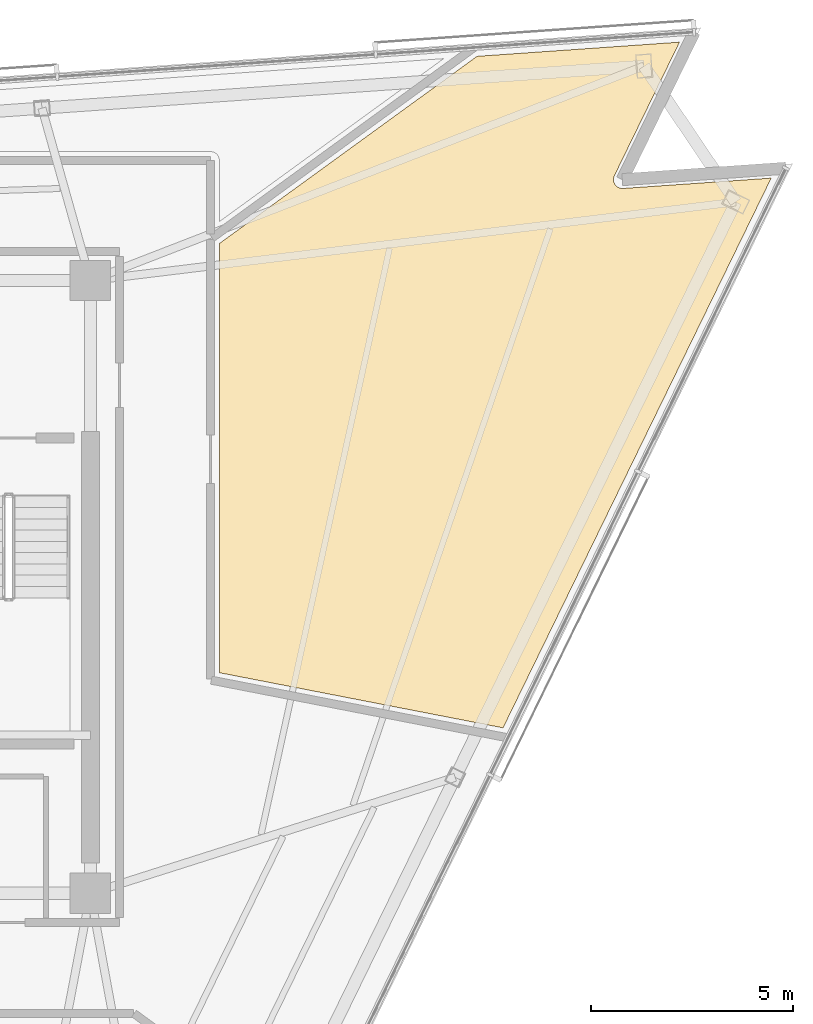
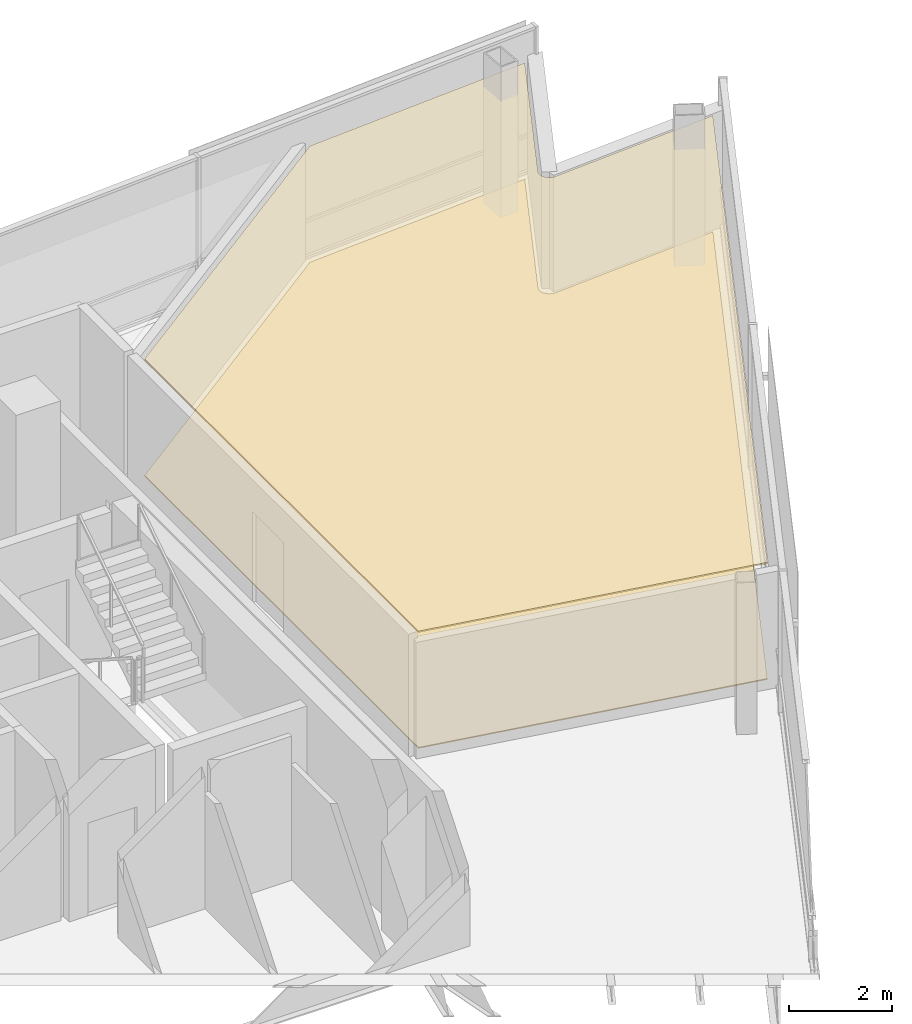
# One storey, part 15 of 15: 2 coverings.
"""IFC4 building model written with IfcOpenShell, lengths in metres."""

from ifc_helpers import new_model, si_unit, direction, frame, origin, place, context, subcontext, project, spatial, polyline, outline, extrude, material, layer, layer_set, type_object, element, save


model = new_model("IFC4")

# Units and contexts
model_context = context("Model", 3, precision=1e-05, world=origin(), true_north=direction((0.0, 1.0)))
body_context = subcontext(model_context, "Body", "Model", "MODEL_VIEW")
ifc_project = project(units=[si_unit("LENGTHUNIT", "METRE"), si_unit("AREAUNIT", "SQUARE_METRE"), si_unit("VOLUMEUNIT", "CUBIC_METRE"), si_unit("PLANEANGLEUNIT", "RADIAN"), si_unit("MASSUNIT", "GRAM", prefix="KILO")], contexts=[model_context])

# Site, building, storey
site_placement = place(None, origin())
site = spatial("IfcSite", under=ifc_project, at=site_placement, CompositionType="ELEMENT")
building_placement = place(site_placement, origin())
building = spatial("IfcBuilding", under=site, at=building_placement, Name="Tharavind Bronze Gate", CompositionType="ELEMENT")
storey_placement = place(building_placement, frame((0.0, 0.0, 267.800048828125)))
storey = spatial("IfcBuildingStorey", under=building, at=storey_placement, Name="L69", CompositionType="ELEMENT", Elevation=267.800048828125)

# Coverings
ifc_material_1 = material(Name="Perforated Bronze Acoustic Panel", Category="bronze")
ifc_layer_1 = layer(ifc_material_1, 0.044921875)
ifc_layer_set_1 = layer_set([ifc_layer_1], Name="Perforated Bronze Acoustic Panel")
covering_type_1 = type_object("IfcCoveringType", Name="ACOUSTIC BRONZE BAFFLE CEILING", PredefinedType="CEILING", material=ifc_layer_set_1)
covering_1_placement = place(storey_placement, frame((0.0, 0.0, 2.75)))
element("IfcCovering", 1, at=covering_1_placement, inside=storey, type_object=covering_type_1, Name="L69-RM-06 suspended ceiling", PredefinedType="CEILING", context=body_context, shape_type="SweptSolid", body=[
    extrude(outline(polyline([(19.138427734375, -3.49609375), (25.79052734375, 10.142578125), (22.11328125, 9.885498046875), (22.102294921875, 9.885009765625), (22.1015625, 9.885009765625), (22.07958984375, 9.885498046875), (22.05810546875, 9.888427734375), (22.03662109375, 9.893310546875), (22.015869140625, 9.900390625), (21.995849609375, 9.90966796875), (21.97705078125, 9.920654296875), (21.959228515625, 9.93359375), (21.94287109375, 9.947998046875), (21.927978515625, 9.96435546875), (21.914794921875, 9.981689453125), (21.903564453125, 10.00048828125), (21.89404296875, 10.0205078125), (21.88671875, 10.041015625), (21.88134765625, 10.062255859375), (21.878173828125, 10.083984375), (21.877197265625, 10.10595703125), (21.87841796875, 10.127685546875), (21.8818359375, 10.1494140625), (21.88720703125, 10.170654296875), (21.89501953125, 10.19140625), (21.895263671875, 10.19189453125), (21.899658203125, 10.201904296875), (23.515625, 13.51513671875), (18.49267578125, 13.163818359375), (12.10009765625, 8.519287109375), (12.10009765625, -2.1279296875), (19.138427734375, -3.49609375)])), origin(), (0.0, 0.0, 1.0), 0.034912109375),
])
ifc_material_2 = material(Name="Engineered Oak & Carpet Tile", Category="wood")
ifc_layer_2 = layer(ifc_material_2, 0.02490234375)
ifc_layer_set_2 = layer_set([ifc_layer_2], Name="Engineered Oak & Carpet Tile")
covering_type_2 = type_object("IfcCoveringType", Name="ENGINEERED TIMBER FLOORING", PredefinedType="FLOORING", material=ifc_layer_set_2)
covering_2_placement = place(storey_placement, origin())
element("IfcCovering", 2, at=covering_2_placement, inside=storey, type_object=covering_type_2, Name="L69-RM-06 floor finish", PredefinedType="FLOORING", context=body_context, shape_type="SweptSolid", body=[
    extrude(outline(polyline([(19.138427734375, -3.49609375), (25.79052734375, 10.142578125), (22.11328125, 9.885498046875), (22.102294921875, 9.885009765625), (22.1015625, 9.885009765625), (22.07958984375, 9.885498046875), (22.05810546875, 9.888427734375), (22.03662109375, 9.893310546875), (22.015869140625, 9.900390625), (21.995849609375, 9.90966796875), (21.97705078125, 9.920654296875), (21.959228515625, 9.93359375), (21.94287109375, 9.947998046875), (21.927978515625, 9.96435546875), (21.914794921875, 9.981689453125), (21.903564453125, 10.00048828125), (21.89404296875, 10.0205078125), (21.88671875, 10.041015625), (21.88134765625, 10.062255859375), (21.878173828125, 10.083984375), (21.877197265625, 10.10595703125), (21.87841796875, 10.127685546875), (21.8818359375, 10.1494140625), (21.88720703125, 10.170654296875), (21.89501953125, 10.19140625), (21.895263671875, 10.19189453125), (21.899658203125, 10.201904296875), (23.515625, 13.51513671875), (18.49267578125, 13.163818359375), (12.10009765625, 8.519287109375), (12.10009765625, -2.1279296875), (19.138427734375, -3.49609375)])), origin(), (0.0, 0.0, 1.0), 0.02490234375),
])

save(model, "model.ifc")
